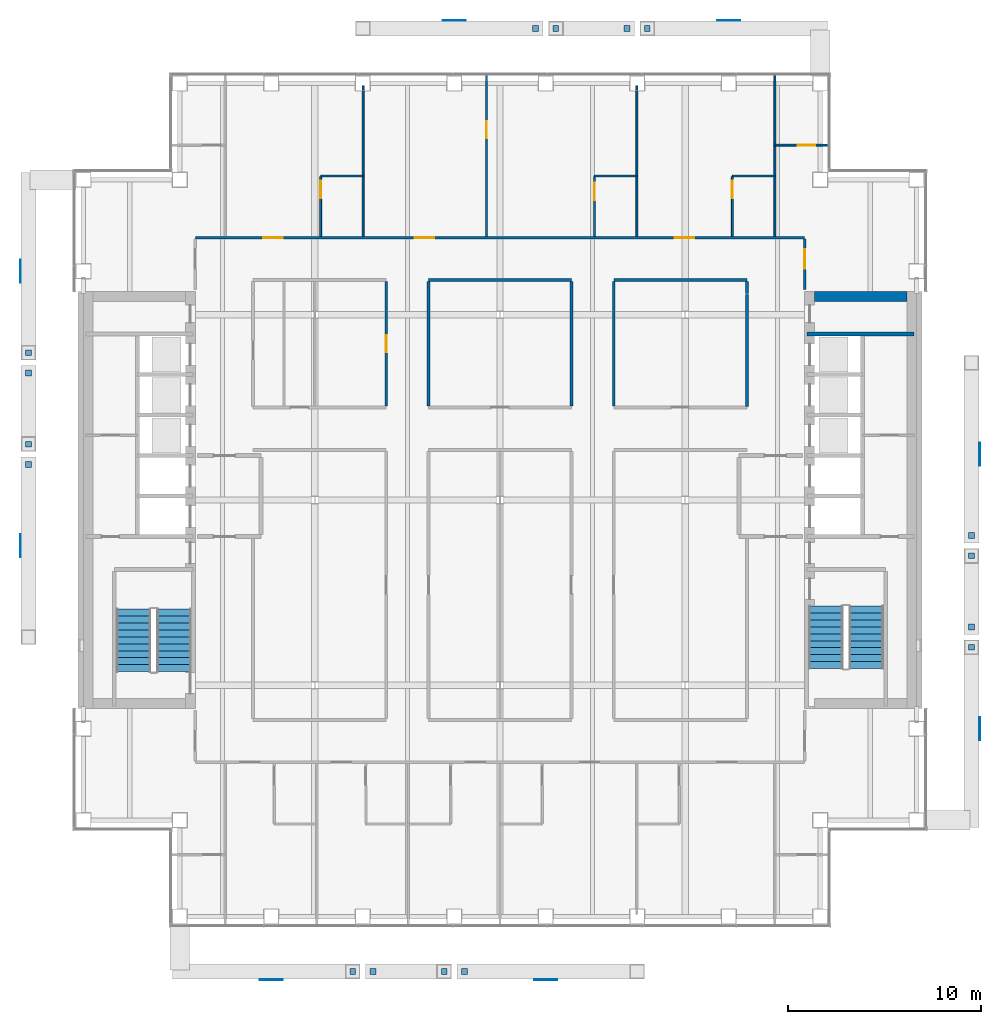
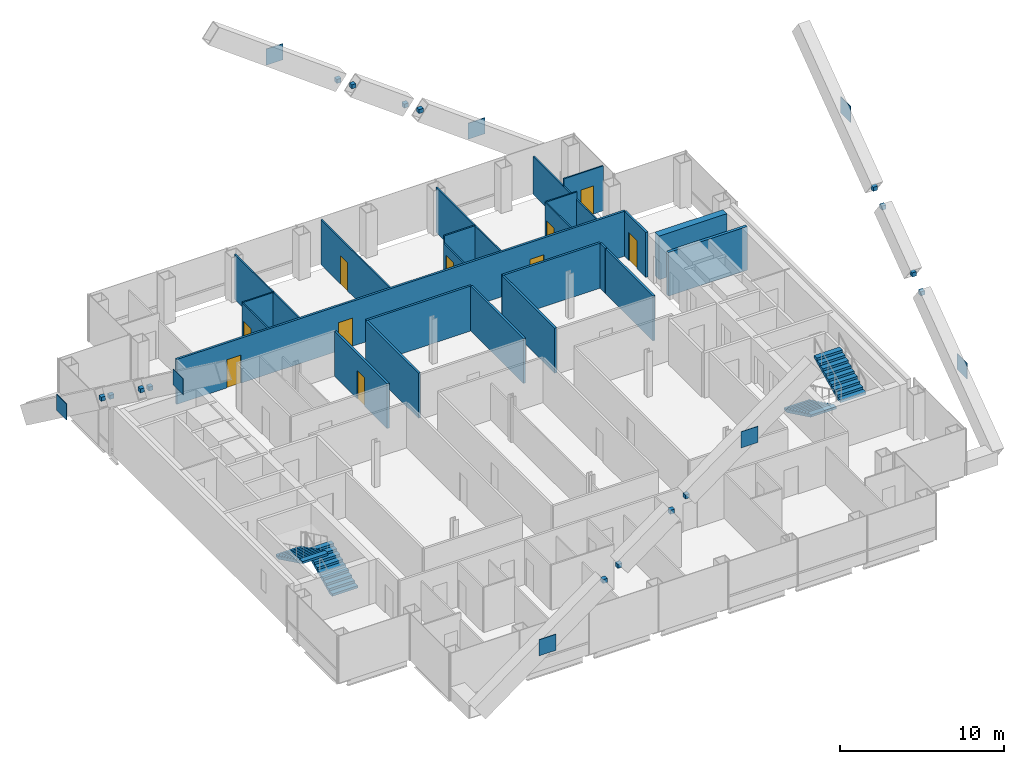
# One storey, part 15 of 17: 24 discrete accessories, 23 walls, 10 doors, 4 stair flights, 10 openings, 2 elements without a shape of their own.
"""IFC4 building model written with IfcOpenShell, lengths in metres."""

from ifc_helpers import new_model, si_unit, direction, frame, frame_2d, origin, origin_2d, place, context, subcontext, project, spatial, polyline, rectangle, outline, extrude, material, layer, layer_set, type_object, element, fill, aggregate, save


model = new_model("IFC4")

# Units and contexts
model_context = context("Model", 3, precision=1e-05, world=origin(), true_north=direction((0.0, 1.0)))
body_context = subcontext(model_context, "Body", "Model", "MODEL_VIEW")
ifc_project = project(units=[si_unit("LENGTHUNIT", "METRE"), si_unit("AREAUNIT", "SQUARE_METRE"), si_unit("VOLUMEUNIT", "CUBIC_METRE"), si_unit("PLANEANGLEUNIT", "RADIAN"), si_unit("MASSUNIT", "GRAM", prefix="KILO")], contexts=[model_context])

# Site, building, storey
site_placement = place(None, origin())
site = spatial("IfcSite", under=ifc_project, at=site_placement, CompositionType="ELEMENT")
building_placement = place(site_placement, origin())
building = spatial("IfcBuilding", under=site, at=building_placement, Name="Cobrizo Arcos Hotel Tower", CompositionType="ELEMENT")
storey_placement = place(building_placement, frame((0.0, 0.0, 151.5)))
storey = spatial("IfcBuildingStorey", under=building, at=storey_placement, Name="L38", CompositionType="ELEMENT", Elevation=151.5)

# Walls
ifc_material_1 = material(Name="Gypsum board partition")
ifc_layer_1 = layer(ifc_material_1, 0.14990234375)
ifc_layer_set_1 = layer_set([ifc_layer_1], Name="Corridor wall EI 60 150")
wall_type_1 = type_object("IfcWallType", Name="Corridor wall EI 60 150", PredefinedType="PARTITIONING", material=ifc_layer_set_1)
wall_1_placement = place(storey_placement, frame((-3.699951171875, 11.39990234375, 0.0), z_axis=(0.0, 0.0, 1.0), x_axis=(1.0, 0.0, 0.0)))
element("IfcWall", 1, at=wall_1_placement, inside=storey, type_object=wall_type_1, Name="Partition 038", PredefinedType="PARTITIONING", context=body_context, shape_type="SweptSolid", body=[
    extrude(rectangle(XDim=7.39990234375, YDim=0.14990234375, at=frame_2d((3.699951171875, 0.0))), origin(), (0.0, 0.0, 1.0), 3.35009765625),
])
wall_2_placement = place(storey_placement, frame((5.89990234375, 11.39990234375, 0.0), z_axis=(0.0, 0.0, 1.0), x_axis=(1.0, 0.0, 0.0)))
element("IfcWall", 2, at=wall_2_placement, inside=storey, type_object=wall_type_1, Name="Partition 039", PredefinedType="PARTITIONING", context=body_context, shape_type="SweptSolid", body=[
    extrude(rectangle(XDim=6.900146484375, YDim=0.14990234375, at=frame_2d((3.4501953125, 0.0))), origin(), (0.0, 0.0, 1.0), 3.35009765625),
])

# Wall, openings, doors
wall_3_placement = place(storey_placement, frame((-15.800048828125, 13.60009765625, 0.0), z_axis=(0.0, 0.0, 1.0), x_axis=(1.0, 0.0, 0.0)))
wall_3 = element("IfcWall", 3, at=wall_3_placement, inside=storey, type_object=wall_type_1, Name="Partition 040", PredefinedType="PARTITIONING", context=body_context, shape_type="SweptSolid", body=[
    extrude(rectangle(XDim=31.60009765625, YDim=0.14990234375, at=frame_2d((15.800048828125, 0.0))), origin(), (0.0, 0.0, 1.0), 3.35009765625),
])
opening_1_placement = place(wall_3_placement, frame((3.529052734375, 0.0, 0.0)))
opening_1 = element("IfcOpeningElement", 4, at=opening_1_placement, cuts=wall_3, Name="Opening GD-01", PredefinedType="OPENING", context=body_context, shape_type="SweptSolid", body=[
    extrude(rectangle(XDim=1.0, YDim=2.10009765625, at=frame_2d((0.5, 1.050048828125))), frame((0.0, 0.0869140625, 0.0), z_axis=(0.0, -1.0, 0.0), x_axis=(1.0, 0.0, 0.0)), (0.0, 0.0, 1.0), 0.173828125),
])
opening_2_placement = place(wall_3_placement, frame((11.387939453125, 0.0, 0.0)))
opening_2 = element("IfcOpeningElement", 5, at=opening_2_placement, cuts=wall_3, Name="Opening GD-02", PredefinedType="OPENING", context=body_context, shape_type="SweptSolid", body=[
    extrude(rectangle(XDim=1.0, YDim=2.10009765625, at=frame_2d((0.5, 1.050048828125))), frame((0.0, 0.0869140625, 0.0), z_axis=(0.0, -1.0, 0.0), x_axis=(1.0, 0.0, 0.0)), (0.0, 0.0, 1.0), 0.173828125),
])
opening_3_placement = place(wall_3_placement, frame((24.8720703125, 0.0, 0.0)))
opening_3 = element("IfcOpeningElement", 6, at=opening_3_placement, cuts=wall_3, Name="Opening GD-03", PredefinedType="OPENING", context=body_context, shape_type="SweptSolid", body=[
    extrude(rectangle(XDim=1.0, YDim=2.10009765625, at=frame_2d((0.5, 1.050048828125))), frame((0.0, 0.0869140625, 0.0), z_axis=(0.0, -1.0, 0.0), x_axis=(1.0, 0.0, 0.0)), (0.0, 0.0, 1.0), 0.173828125),
])
ifc_material_2 = material(Name="Timber door leaf", Category="wood")
door_type_1 = type_object("IfcDoorType", Name="Guest room door FD30S 1000x2100", OperationType="SINGLE_SWING_LEFT", PredefinedType="DOOR", material=ifc_material_2)
door_1_placement = place(opening_1_placement, origin())
door_1 = element("IfcDoor", 7, at=door_1_placement, inside=storey, type_object=door_type_1, Name="Door GD-01", OperationType="SINGLE_SWING_LEFT", OverallHeight=2.10009765625, OverallWidth=1.0, PredefinedType="DOOR", context=body_context, shape_type="SweptSolid", body=[
    extrude(rectangle(XDim=1.0, YDim=2.10009765625, at=frame_2d((0.5, 1.050048828125))), frame((0.0, 0.02490234375, 0.0), z_axis=(0.0, -1.0, 0.0), x_axis=(1.0, 0.0, 0.0)), (0.0, 0.0, 1.0), 0.050048828125),
])
fill(opening_1, door_1)
door_2_placement = place(opening_2_placement, origin())
door_2 = element("IfcDoor", 8, at=door_2_placement, inside=storey, type_object=door_type_1, Name="Door GD-02", OperationType="SINGLE_SWING_LEFT", OverallHeight=2.10009765625, OverallWidth=1.0, PredefinedType="DOOR", context=body_context, shape_type="SweptSolid", body=[
    extrude(rectangle(XDim=1.0, YDim=2.10009765625, at=frame_2d((0.5, 1.050048828125))), frame((0.0, 0.02490234375, 0.0), z_axis=(0.0, -1.0, 0.0), x_axis=(1.0, 0.0, 0.0)), (0.0, 0.0, 1.0), 0.050048828125),
])
fill(opening_2, door_2)
door_3_placement = place(opening_3_placement, origin())
door_3 = element("IfcDoor", 9, at=door_3_placement, inside=storey, type_object=door_type_1, Name="Door GD-03", OperationType="SINGLE_SWING_LEFT", OverallHeight=2.10009765625, OverallWidth=1.0, PredefinedType="DOOR", context=body_context, shape_type="SweptSolid", body=[
    extrude(rectangle(XDim=1.0, YDim=2.10009765625, at=frame_2d((0.5, 1.050048828125))), frame((0.0, 0.02490234375, 0.0), z_axis=(0.0, -1.0, 0.0), x_axis=(1.0, 0.0, 0.0)), (0.0, 0.0, 1.0), 0.050048828125),
])
fill(opening_3, door_3)

# Wall, opening, door
wall_4_placement = place(storey_placement, frame((-5.89990234375, 4.875, 0.0), z_axis=(0.0, 0.0, 1.0), x_axis=(0.0, 1.0, 0.0)))
wall_4 = element("IfcWall", 10, at=wall_4_placement, inside=storey, type_object=wall_type_1, Name="Partition 067", PredefinedType="PARTITIONING", context=body_context, shape_type="SweptSolid", body=[
    extrude(rectangle(XDim=6.449951171875, YDim=0.14990234375, at=frame_2d((3.22509765625, 0.0))), origin(), (0.0, 0.0, 1.0), 3.35009765625),
])
opening_4_placement = place(wall_4_placement, frame((2.77490234375, 0.0, 0.0)))
opening_4 = element("IfcOpeningElement", 11, at=opening_4_placement, cuts=wall_4, Name="Opening RD-08", PredefinedType="OPENING", context=body_context, shape_type="SweptSolid", body=[
    extrude(rectangle(XDim=0.89990234375, YDim=2.10009765625, at=frame_2d((0.449951171875, 1.050048828125))), frame((0.0, 0.0869140625, 0.0), z_axis=(0.0, -1.0, 0.0), x_axis=(1.0, 0.0, 0.0)), (0.0, 0.0, 1.0), 0.173828125),
])
door_type_2 = type_object("IfcDoorType", Name="Room door FD30 900x2100", OperationType="SINGLE_SWING_LEFT", PredefinedType="DOOR", material=ifc_material_2)
door_4_placement = place(opening_4_placement, origin())
door_4 = element("IfcDoor", 12, at=door_4_placement, inside=storey, type_object=door_type_2, Name="Door RD-08", OperationType="SINGLE_SWING_LEFT", OverallHeight=2.10009765625, OverallWidth=0.89990234375, PredefinedType="DOOR", context=body_context, shape_type="SweptSolid", body=[
    extrude(rectangle(XDim=0.89990234375, YDim=2.10009765625, at=frame_2d((0.449951171875, 1.050048828125))), frame((0.0, 0.02490234375, 0.0), z_axis=(0.0, -1.0, 0.0), x_axis=(1.0, 0.0, 0.0)), (0.0, 0.0, 1.0), 0.050048828125),
])
fill(opening_4, door_4)

# Walls
for number, where, z_axis, x_axis, name in (
    (13, (-3.699951171875, 4.875, 0.0), (0.0, 0.0, 1.0), (0.0, 1.0, 0.0), "Partition 071"),
    (14, (3.699951171875, 4.875, 0.0), (0.0, 0.0, 1.0), (0.0, 1.0, 0.0), "Partition 082"),
    (15, (5.89990234375, 4.875, 0.0), (0.0, 0.0, 1.0), (0.0, 1.0, 0.0), "Partition 085"),
):
    element("IfcWall", number, at=place(storey_placement, frame(where, z_axis=z_axis, x_axis=x_axis)), inside=storey, type_object=wall_type_1, Name=name, PredefinedType="PARTITIONING", context=body_context, shape_type="SweptSolid", body=[
        extrude(rectangle(XDim=6.449951171875, YDim=0.14990234375, at=frame_2d((3.22509765625, 0.0))), origin(), (0.0, 0.0, 1.0), 3.35009765625),
    ])
wall_5_placement = place(storey_placement, frame((12.800048828125, 4.85009765625, 0.0), z_axis=(0.0, 0.0, 1.0), x_axis=(0.0, 1.0, 0.0)))
element("IfcWall", 16, at=wall_5_placement, inside=storey, type_object=wall_type_1, Name="Partition 092", PredefinedType="PARTITIONING", context=body_context, shape_type="SweptSolid", body=[
    extrude(rectangle(XDim=5.7998046875, YDim=0.14990234375, at=frame_2d((2.89990234375, 0.0))), origin(), (0.0, 0.0, 1.0), 3.35009765625),
])
wall_6_placement = place(storey_placement, frame((12.800048828125, 10.699951171875, 0.0), z_axis=(0.0, 0.0, 1.0), x_axis=(0.0, 1.0, 0.0)))
element("IfcWall", 17, at=wall_6_placement, inside=storey, type_object=wall_type_1, Name="Partition 093", PredefinedType="PARTITIONING", context=body_context, shape_type="SweptSolid", body=[
    extrude(rectangle(XDim=0.625, YDim=0.14990234375, at=frame_2d((0.3125, 0.0))), origin(), (0.0, 0.0, 1.0), 3.35009765625),
])

# Wall, opening, door
wall_7_placement = place(storey_placement, frame((15.800048828125, 10.919921875, 0.0), z_axis=(0.0, 0.0, 1.0), x_axis=(0.0, 1.0, 0.0)))
wall_7 = element("IfcWall", 18, at=wall_7_placement, inside=storey, type_object=wall_type_1, Name="Partition 097", PredefinedType="PARTITIONING", context=body_context, shape_type="SweptSolid", body=[
    extrude(rectangle(XDim=2.60498046875, YDim=0.14990234375, at=frame_2d((1.302490234375, 0.0))), origin(), (0.0, 0.0, 1.0), 3.35009765625),
])
opening_5_placement = place(wall_7_placement, frame((1.080078125, 0.0, 0.0)))
opening_5 = element("IfcOpeningElement", 19, at=opening_5_placement, cuts=wall_7, Name="Opening GD-12", PredefinedType="OPENING", context=body_context, shape_type="SweptSolid", body=[
    extrude(rectangle(XDim=1.0, YDim=2.10009765625, at=frame_2d((0.5, 1.050048828125))), frame((0.0, 0.0869140625, 0.0), z_axis=(0.0, -1.0, 0.0), x_axis=(1.0, 0.0, 0.0)), (0.0, 0.0, 1.0), 0.173828125),
])
door_5_placement = place(opening_5_placement, origin())
door_5 = element("IfcDoor", 20, at=door_5_placement, inside=storey, type_object=door_type_1, Name="Door GD-12", OperationType="SINGLE_SWING_RIGHT", OverallHeight=2.10009765625, OverallWidth=1.0, PredefinedType="DOOR", context=body_context, shape_type="SweptSolid", body=[
    extrude(rectangle(XDim=1.0, YDim=2.10009765625, at=frame_2d((0.5, 1.050048828125))), frame((0.0, 0.02490234375, 0.0), z_axis=(0.0, -1.0, 0.0), x_axis=(1.0, 0.0, 0.0)), (0.0, 0.0, 1.0), 0.050048828125),
])
fill(opening_5, door_5)

# Walls
ifc_layer_2 = layer(ifc_material_1, 0.10009765625)
ifc_layer_set_2 = layer_set([ifc_layer_2], Name="Partition EI 30 100")
wall_type_2 = type_object("IfcWallType", Name="Partition EI 30 100", PredefinedType="PARTITIONING", material=ifc_layer_set_2)
wall_8_placement = place(storey_placement, frame((-9.300048828125, 16.800048828125, 0.0), z_axis=(0.0, 0.0, 1.0), x_axis=(1.0, 0.0, 0.0)))
element("IfcWall", 21, at=wall_8_placement, inside=storey, type_object=wall_type_2, Name="Partition 041", PredefinedType="PARTITIONING", context=body_context, shape_type="SweptSolid", body=[
    extrude(rectangle(XDim=2.199951171875, YDim=0.10009765625, at=frame_2d((1.10009765625, 0.0))), origin(), (0.0, 0.0, 1.0), 3.35009765625),
])
wall_9_placement = place(storey_placement, frame((4.89990234375, 16.800048828125, 0.0), z_axis=(0.0, 0.0, 1.0), x_axis=(1.0, 0.0, 0.0)))
element("IfcWall", 22, at=wall_9_placement, inside=storey, type_object=wall_type_2, Name="Partition 042", PredefinedType="PARTITIONING", context=body_context, shape_type="SweptSolid", body=[
    extrude(rectangle(XDim=2.2001953125, YDim=0.10009765625, at=frame_2d((1.10009765625, 0.0))), origin(), (0.0, 0.0, 1.0), 3.35009765625),
])
wall_10_placement = place(storey_placement, frame((12.050048828125, 16.800048828125, 0.0), z_axis=(0.0, 0.0, 1.0), x_axis=(1.0, 0.0, 0.0)))
element("IfcWall", 23, at=wall_10_placement, inside=storey, type_object=wall_type_2, Name="Partition 043", PredefinedType="PARTITIONING", context=body_context, shape_type="SweptSolid", body=[
    extrude(rectangle(XDim=2.199951171875, YDim=0.10009765625, at=frame_2d((1.10009765625, 0.0))), origin(), (0.0, 0.0, 1.0), 3.35009765625),
])

# Wall, opening, door
wall_11_placement = place(storey_placement, frame((14.25, 18.39990234375, 0.0), z_axis=(0.0, 0.0, 1.0), x_axis=(1.0, 0.0, 0.0)))
wall_11 = element("IfcWall", 24, at=wall_11_placement, inside=storey, type_object=wall_type_2, Name="Partition 045", PredefinedType="PARTITIONING", context=body_context, shape_type="SweptSolid", body=[
    extrude(rectangle(XDim=2.780029296875, YDim=0.10009765625, at=frame_2d((1.39013671875, 0.0))), origin(), (0.0, 0.0, 1.0), 3.35009765625),
])
opening_6_placement = place(wall_11_placement, frame((1.18896484375, 0.0, 0.0)))
opening_6 = element("IfcOpeningElement", 25, at=opening_6_placement, cuts=wall_11, Name="Opening ED-12", PredefinedType="OPENING", context=body_context, shape_type="SweptSolid", body=[
    extrude(rectangle(XDim=0.89990234375, YDim=2.10009765625, at=frame_2d((0.449951171875, 1.050048828125))), frame((0.0, 0.06201171875, 0.0), z_axis=(0.0, -1.0, 0.0), x_axis=(1.0, 0.0, 0.0)), (0.0, 0.0, 1.0), 0.1240234375),
])
door_type_3 = type_object("IfcDoorType", Name="En-suite door 900x2100", OperationType="SINGLE_SWING_LEFT", PredefinedType="DOOR", material=ifc_material_2)
door_6_placement = place(opening_6_placement, origin())
door_6 = element("IfcDoor", 26, at=door_6_placement, inside=storey, type_object=door_type_3, Name="Door ED-12", OperationType="SINGLE_SWING_LEFT", OverallHeight=2.10009765625, OverallWidth=0.89990234375, PredefinedType="DOOR", context=body_context, shape_type="SweptSolid", body=[
    extrude(rectangle(XDim=0.89990234375, YDim=2.10009765625, at=frame_2d((0.449951171875, 1.050048828125))), frame((0.0, 0.02490234375, 0.0), z_axis=(0.0, -1.0, 0.0), x_axis=(1.0, 0.0, 0.0)), (0.0, 0.0, 1.0), 0.050048828125),
])
fill(opening_6, door_6)

wall_12_placement = place(storey_placement, frame((-9.300048828125, 13.675048828125, 0.0), z_axis=(0.0, 0.0, 1.0), x_axis=(0.0, 1.0, 0.0)))
wall_12 = element("IfcWall", 27, at=wall_12_placement, inside=storey, type_object=wall_type_2, Name="Partition 063", PredefinedType="PARTITIONING", context=body_context, shape_type="SweptSolid", body=[
    extrude(rectangle(XDim=3.074951171875, YDim=0.10009765625, at=frame_2d((1.53759765625, 0.0))), origin(), (0.0, 0.0, 1.0), 3.35009765625),
])
opening_7_placement = place(wall_12_placement, frame((1.970947265625, 0.0, 0.0)))
opening_7 = element("IfcOpeningElement", 28, at=opening_7_placement, cuts=wall_12, Name="Opening ED-01", PredefinedType="OPENING", context=body_context, shape_type="SweptSolid", body=[
    extrude(rectangle(XDim=0.89990234375, YDim=2.10009765625, at=frame_2d((0.449951171875, 1.050048828125))), frame((0.0, 0.06201171875, 0.0), z_axis=(0.0, -1.0, 0.0), x_axis=(1.0, 0.0, 0.0)), (0.0, 0.0, 1.0), 0.1240234375),
])
door_7_placement = place(opening_7_placement, origin())
door_7 = element("IfcDoor", 29, at=door_7_placement, inside=storey, type_object=door_type_3, Name="Door ED-01", OperationType="SINGLE_SWING_RIGHT", OverallHeight=2.10009765625, OverallWidth=0.89990234375, PredefinedType="DOOR", context=body_context, shape_type="SweptSolid", body=[
    extrude(rectangle(XDim=0.89990234375, YDim=2.10009765625, at=frame_2d((0.449951171875, 1.050048828125))), frame((0.0, 0.02490234375, 0.0), z_axis=(0.0, -1.0, 0.0), x_axis=(1.0, 0.0, 0.0)), (0.0, 0.0, 1.0), 0.050048828125),
])
fill(opening_7, door_7)

# Wall
wall_13_placement = place(storey_placement, frame((-7.10009765625, 13.675048828125, 0.0), z_axis=(0.0, 0.0, 1.0), x_axis=(0.0, 1.0, 0.0)))
element("IfcWall", 30, at=wall_13_placement, inside=storey, type_object=wall_type_2, Name="Partition 064", PredefinedType="PARTITIONING", context=body_context, shape_type="SweptSolid", body=[
    extrude(rectangle(XDim=7.804931640625, YDim=0.10009765625, at=frame_2d((3.90234375, 0.0))), origin(), (0.0, 0.0, 1.0), 3.35009765625),
])

# Wall, opening, door
wall_14_placement = place(storey_placement, frame((-0.699951171875, 13.675048828125, 0.0), z_axis=(0.0, 0.0, 1.0), x_axis=(0.0, 1.0, 0.0)))
wall_14 = element("IfcWall", 31, at=wall_14_placement, inside=storey, type_object=wall_type_2, Name="Partition 073", PredefinedType="PARTITIONING", context=body_context, shape_type="SweptSolid", body=[
    extrude(rectangle(XDim=8.35498046875, YDim=0.10009765625, at=frame_2d((4.177490234375, 0.0))), origin(), (0.0, 0.0, 1.0), 3.35009765625),
])
opening_8_placement = place(wall_14_placement, frame((5.074951171875, 0.0, 0.0)))
opening_8 = element("IfcOpeningElement", 32, at=opening_8_placement, cuts=wall_14, Name="Opening RD-07", PredefinedType="OPENING", context=body_context, shape_type="SweptSolid", body=[
    extrude(rectangle(XDim=0.89990234375, YDim=2.10009765625, at=frame_2d((0.449951171875, 1.050048828125))), frame((0.0, 0.06201171875, 0.0), z_axis=(0.0, -1.0, 0.0), x_axis=(1.0, 0.0, 0.0)), (0.0, 0.0, 1.0), 0.1240234375),
])
door_8_placement = place(opening_8_placement, origin())
door_8 = element("IfcDoor", 33, at=door_8_placement, inside=storey, type_object=door_type_2, Name="Door RD-07", OperationType="SINGLE_SWING_LEFT", OverallHeight=2.10009765625, OverallWidth=0.89990234375, PredefinedType="DOOR", context=body_context, shape_type="SweptSolid", body=[
    extrude(rectangle(XDim=0.89990234375, YDim=2.10009765625, at=frame_2d((0.449951171875, 1.050048828125))), frame((0.0, 0.02490234375, 0.0), z_axis=(0.0, -1.0, 0.0), x_axis=(1.0, 0.0, 0.0)), (0.0, 0.0, 1.0), 0.050048828125),
])
fill(opening_8, door_8)

wall_15_placement = place(storey_placement, frame((4.89990234375, 13.675048828125, 0.0), z_axis=(0.0, 0.0, 1.0), x_axis=(0.0, 1.0, 0.0)))
wall_15 = element("IfcWall", 34, at=wall_15_placement, inside=storey, type_object=wall_type_2, Name="Partition 083", PredefinedType="PARTITIONING", context=body_context, shape_type="SweptSolid", body=[
    extrude(rectangle(XDim=3.074951171875, YDim=0.10009765625, at=frame_2d((1.53759765625, 0.0))), origin(), (0.0, 0.0, 1.0), 2.81689453125),
])
opening_9_placement = place(wall_15_placement, frame((1.875, 0.0, 0.0)))
opening_9 = element("IfcOpeningElement", 35, at=opening_9_placement, cuts=wall_15, Name="Opening ED-02", PredefinedType="OPENING", context=body_context, shape_type="SweptSolid", body=[
    extrude(rectangle(XDim=0.89990234375, YDim=2.10009765625, at=frame_2d((0.449951171875, 1.050048828125))), frame((0.0, 0.06201171875, 0.0), z_axis=(0.0, -1.0, 0.0), x_axis=(1.0, 0.0, 0.0)), (0.0, 0.0, 1.0), 0.1240234375),
])
door_9_placement = place(opening_9_placement, origin())
door_9 = element("IfcDoor", 36, at=door_9_placement, inside=storey, type_object=door_type_3, Name="Door ED-02", OperationType="SINGLE_SWING_RIGHT", OverallHeight=2.10009765625, OverallWidth=0.89990234375, PredefinedType="DOOR", context=body_context, shape_type="SweptSolid", body=[
    extrude(rectangle(XDim=0.89990234375, YDim=2.10009765625, at=frame_2d((0.449951171875, 1.050048828125))), frame((0.0, 0.02490234375, 0.0), z_axis=(0.0, -1.0, 0.0), x_axis=(1.0, 0.0, 0.0)), (0.0, 0.0, 1.0), 0.050048828125),
])
fill(opening_9, door_9)

# Wall
wall_16_placement = place(storey_placement, frame((7.10009765625, 13.675048828125, 0.0), z_axis=(0.0, 0.0, 1.0), x_axis=(0.0, 1.0, 0.0)))
element("IfcWall", 37, at=wall_16_placement, inside=storey, type_object=wall_type_2, Name="Partition 087", PredefinedType="PARTITIONING", context=body_context, shape_type="SweptSolid", body=[
    extrude(rectangle(XDim=7.804931640625, YDim=0.10009765625, at=frame_2d((3.90234375, 0.0))), origin(), (0.0, 0.0, 1.0), 3.35009765625),
])

# Wall, opening, door
wall_17_placement = place(storey_placement, frame((12.050048828125, 13.675048828125, 0.0), z_axis=(0.0, 0.0, 1.0), x_axis=(0.0, 1.0, 0.0)))
wall_17 = element("IfcWall", 38, at=wall_17_placement, inside=storey, type_object=wall_type_2, Name="Partition 089", PredefinedType="PARTITIONING", context=body_context, shape_type="SweptSolid", body=[
    extrude(rectangle(XDim=3.074951171875, YDim=0.10009765625, at=frame_2d((1.53759765625, 0.0))), origin(), (0.0, 0.0, 1.0), 3.35009765625),
])
opening_10_placement = place(wall_17_placement, frame((1.970947265625, 0.0, 0.0)))
opening_10 = element("IfcOpeningElement", 39, at=opening_10_placement, cuts=wall_17, Name="Opening ED-03", PredefinedType="OPENING", context=body_context, shape_type="SweptSolid", body=[
    extrude(rectangle(XDim=0.89990234375, YDim=2.10009765625, at=frame_2d((0.449951171875, 1.050048828125))), frame((0.0, 0.06201171875, 0.0), z_axis=(0.0, -1.0, 0.0), x_axis=(1.0, 0.0, 0.0)), (0.0, 0.0, 1.0), 0.1240234375),
])
door_10_placement = place(opening_10_placement, origin())
door_10 = element("IfcDoor", 40, at=door_10_placement, inside=storey, type_object=door_type_3, Name="Door ED-03", OperationType="SINGLE_SWING_LEFT", OverallHeight=2.10009765625, OverallWidth=0.89990234375, PredefinedType="DOOR", context=body_context, shape_type="SweptSolid", body=[
    extrude(rectangle(XDim=0.89990234375, YDim=2.10009765625, at=frame_2d((0.449951171875, 1.050048828125))), frame((0.0, 0.02490234375, 0.0), z_axis=(0.0, -1.0, 0.0), x_axis=(1.0, 0.0, 0.0)), (0.0, 0.0, 1.0), 0.050048828125),
])
fill(opening_10, door_10)

# Walls
wall_18_placement = place(storey_placement, frame((14.25, 13.675048828125, 0.0), z_axis=(0.0, 0.0, 1.0), x_axis=(0.0, 1.0, 0.0)))
element("IfcWall", 41, at=wall_18_placement, inside=storey, type_object=wall_type_2, Name="Partition 095", PredefinedType="PARTITIONING", context=body_context, shape_type="SweptSolid", body=[
    extrude(rectangle(XDim=8.35498046875, YDim=0.10009765625, at=frame_2d((4.177490234375, 0.0))), origin(), (0.0, 0.0, 1.0), 2.81689453125),
])
ifc_material_3 = material(Name="Concrete f'c 50 MPa", Category="concrete")
ifc_layer_3 = layer(ifc_material_3, 0.5)
ifc_layer_set_3 = layer_set([ifc_layer_3], Name="RC core wall 500 f'c 50")
wall_type_3 = type_object("IfcWallType", Name="RC core wall 500 f'c 50", PredefinedType="SHEAR", material=ifc_layer_set_3)
wall_19_placement = place(storey_placement, frame((16.300048828125, 10.550048828125, 0.0), z_axis=(0.0, 0.0, 1.0), x_axis=(1.0, 0.0, 0.0)))
element("IfcWall", 42, at=wall_19_placement, inside=storey, type_object=wall_type_3, Name="Core wall CW3, east core, north end, L38", PredefinedType="SHEAR", context=body_context, shape_type="SweptSolid", body=[
    extrude(rectangle(XDim=4.800048828125, YDim=0.5, at=frame_2d((2.39990234375, 0.0))), origin(), (0.0, 0.0, 1.0), 3.25),
])
ifc_layer_4 = layer(ifc_material_1, 0.199951171875)
ifc_layer_set_4 = layer_set([ifc_layer_4], Name="Shaft wall EI 120 200")
wall_type_4 = type_object("IfcWallType", Name="Shaft wall EI 120 200", PredefinedType="PARTITIONING", material=ifc_layer_set_4)
wall_20_placement = place(storey_placement, frame((15.919921875, 8.60009765625, 0.0), z_axis=(0.0, 0.0, 1.0), x_axis=(1.0, 0.0, 0.0)))
element("IfcWall", 43, at=wall_20_placement, inside=storey, type_object=wall_type_4, Name="Partition 036", PredefinedType="PARTITIONING", context=body_context, shape_type="SweptSolid", body=[
    extrude(rectangle(XDim=5.56005859375, YDim=0.199951171875, at=frame_2d((2.780029296875, 0.0))), origin(), (0.0, 0.0, 1.0), 3.25),
])

# Stair, stair flights
ifc_material_4 = material(Name="Concrete f'c 40 MPa", Category="concrete")
stair_type = type_object("IfcStairType", Name="Exit stair", PredefinedType="HALF_TURN_STAIR", material=ifc_material_4)
stair_1_placement = place(storey_placement, origin())
stair_1 = element("IfcStair", 44, at=stair_1_placement, inside=storey, type_object=stair_type, Name="L38 Exit stair ST-W", PredefinedType="HALF_TURN_STAIR")
stair_flight_type = type_object("IfcStairFlightType", Name="Exit stair flight", PredefinedType="STRAIGHT", material=ifc_material_4)
stair_flight_1_placement = place(storey_placement, frame((-16.89990234375, -8.89990234375, 0.0), z_axis=(0.0, 0.0, 1.0), x_axis=(0.0, 1.0, 0.0)))
stair_flight_1 = element("IfcStairFlight", 45, at=stair_flight_1_placement, type_object=stair_flight_type, Name="ST-W flight 1", NumberOfRisers=10, NumberOfTreads=9, PredefinedType="STRAIGHT", RiserHeight=0.175, TreadLength=0.36, context=body_context, shape_type="SweptSolid", body=[
    extrude(outline(polyline([(0.0, 0.0), (0.0, 0.175048828125), (0.360107421875, 0.175048828125), (0.360107421875, 0.35009765625), (0.719970703125, 0.35009765625), (0.719970703125, 0.52490234375), (1.080078125, 0.52490234375), (1.080078125, 0.699951171875), (1.43994140625, 0.699951171875), (1.43994140625, 0.875), (1.800048828125, 0.875), (1.800048828125, 1.050048828125), (2.159912109375, 1.050048828125), (2.159912109375, 1.22509765625), (2.52001953125, 1.22509765625), (2.52001953125, 1.39990234375), (2.8798828125, 1.39990234375), (2.8798828125, 1.574951171875), (3.239990234375, 1.574951171875), (3.239990234375, 1.75), (3.239990234375, 1.408203125), (0.3427734375, 0.0), (0.0, 0.0)])), frame((0.0, 0.89990234375, 0.0), z_axis=(0.0, -1.0, 0.0), x_axis=(1.0, 0.0, 0.0)), (0.0, 0.0, 1.0), 1.800048828125),
])
stair_flight_2_placement = place(storey_placement, frame((-19.0, -5.659912109375, 1.75), z_axis=(0.0, 0.0, 1.0), x_axis=(0.0, -1.0, 0.0)))
stair_flight_2 = element("IfcStairFlight", 46, at=stair_flight_2_placement, type_object=stair_flight_type, Name="ST-W flight 2", NumberOfRisers=10, NumberOfTreads=9, PredefinedType="STRAIGHT", RiserHeight=0.175, TreadLength=0.36, context=body_context, shape_type="SweptSolid", body=[
    extrude(outline(polyline([(0.0, 0.0), (0.0, 0.175048828125), (0.360107421875, 0.175048828125), (0.360107421875, 0.35009765625), (0.719970703125, 0.35009765625), (0.719970703125, 0.52490234375), (1.080078125, 0.52490234375), (1.080078125, 0.699951171875), (1.43994140625, 0.699951171875), (1.43994140625, 0.875), (1.800048828125, 0.875), (1.800048828125, 1.050048828125), (2.159912109375, 1.050048828125), (2.159912109375, 1.22509765625), (2.52001953125, 1.22509765625), (2.52001953125, 1.39990234375), (2.8798828125, 1.39990234375), (2.8798828125, 1.574951171875), (3.239990234375, 1.574951171875), (3.239990234375, 1.75), (3.239990234375, 1.408203125), (0.3427734375, 0.0), (0.0, 0.0)])), frame((0.0, 0.89990234375, 0.0), z_axis=(0.0, -1.0, 0.0), x_axis=(1.0, 0.0, 0.0)), (0.0, 0.0, 1.0), 1.800048828125),
])
aggregate(stair_1, [stair_flight_1, stair_flight_2])

stair_2_placement = place(storey_placement, origin())
stair_2 = element("IfcStair", 47, at=stair_2_placement, inside=storey, type_object=stair_type, Name="L38 Exit stair ST-E", PredefinedType="HALF_TURN_STAIR")
stair_flight_3_placement = place(storey_placement, frame((16.89990234375, -5.5, 0.0), z_axis=(0.0, 0.0, 1.0), x_axis=(0.0, -1.0, 0.0)))
stair_flight_3 = element("IfcStairFlight", 48, at=stair_flight_3_placement, type_object=stair_flight_type, Name="ST-E flight 1", NumberOfRisers=10, NumberOfTreads=9, PredefinedType="STRAIGHT", RiserHeight=0.175, TreadLength=0.36, context=body_context, shape_type="SweptSolid", body=[
    extrude(outline(polyline([(0.0, 0.0), (0.0, 0.175048828125), (0.360107421875, 0.175048828125), (0.360107421875, 0.35009765625), (0.719970703125, 0.35009765625), (0.719970703125, 0.52490234375), (1.080078125, 0.52490234375), (1.080078125, 0.699951171875), (1.43994140625, 0.699951171875), (1.43994140625, 0.875), (1.800048828125, 0.875), (1.800048828125, 1.050048828125), (2.159912109375, 1.050048828125), (2.159912109375, 1.22509765625), (2.52001953125, 1.22509765625), (2.52001953125, 1.39990234375), (2.8798828125, 1.39990234375), (2.8798828125, 1.574951171875), (3.239990234375, 1.574951171875), (3.239990234375, 1.75), (3.239990234375, 1.408203125), (0.3427734375, 0.0), (0.0, 0.0)])), frame((0.0, 0.89990234375, 0.0), z_axis=(0.0, -1.0, 0.0), x_axis=(1.0, 0.0, 0.0)), (0.0, 0.0, 1.0), 1.800048828125),
])
stair_flight_4_placement = place(storey_placement, frame((19.0, -8.739990234375, 1.75), z_axis=(0.0, 0.0, 1.0), x_axis=(0.0, 1.0, 0.0)))
stair_flight_4 = element("IfcStairFlight", 49, at=stair_flight_4_placement, type_object=stair_flight_type, Name="ST-E flight 2", NumberOfRisers=10, NumberOfTreads=9, PredefinedType="STRAIGHT", RiserHeight=0.175, TreadLength=0.36, context=body_context, shape_type="SweptSolid", body=[
    extrude(outline(polyline([(0.0, 0.0), (0.0, 0.175048828125), (0.360107421875, 0.175048828125), (0.360107421875, 0.35009765625), (0.719970703125, 0.35009765625), (0.719970703125, 0.52490234375), (1.080078125, 0.52490234375), (1.080078125, 0.699951171875), (1.43994140625, 0.699951171875), (1.43994140625, 0.875), (1.800048828125, 0.875), (1.800048828125, 1.050048828125), (2.159912109375, 1.050048828125), (2.159912109375, 1.22509765625), (2.52001953125, 1.22509765625), (2.52001953125, 1.39990234375), (2.8798828125, 1.39990234375), (2.8798828125, 1.574951171875), (3.239990234375, 1.574951171875), (3.239990234375, 1.75), (3.239990234375, 1.408203125), (0.3427734375, 0.0), (0.0, 0.0)])), frame((0.0, 0.89990234375, 0.0), z_axis=(0.0, -1.0, 0.0), x_axis=(1.0, 0.0, 0.0)), (0.0, 0.0, 1.0), 1.800048828125),
])
aggregate(stair_2, [stair_flight_3, stair_flight_4])

# Discrete accessories
ifc_material_5 = material(Name="Steel ASTM A572 Grade 50", Category="steel")
discrete_accessory_type_1 = type_object("IfcDiscreteAccessoryType", Name="GP-1 gusset plate 1200x1200x40", PredefinedType="BRACKET", material=ifc_material_5)
for number, where, z_axis, x_axis, name in (
    (50, (24.8701171875, -11.857177734375, 3.39990234375), (0.0, 0.0, 1.0), (1.0, 0.0, 0.0), "Gusset plate br-Z3-E-06"),
    (51, (24.8701171875, 2.371337890625, 13.89990234375), (0.0, 0.0, 1.0), (1.0, 0.0, 0.0), "Gusset plate br-Z3-E-06"),
):
    element("IfcDiscreteAccessory", number, at=place(storey_placement, frame(where, z_axis=z_axis, x_axis=x_axis)), inside=storey, type_object=discrete_accessory_type_1, Name=name, PredefinedType="BRACKET", context=body_context, shape_type="SweptSolid", body=[
        extrude(rectangle(XDim=0.0400390625, YDim=1.199951171875, at=origin_2d()), origin(), (0.0, 0.0, 1.0), 1.199951171875),
    ])
for number, where, z_axis, x_axis, name in (
    (52, (11.857177734375, 24.8701171875, 3.39990234375), (0.0, 0.0, 1.0), (1.0, 0.0, 0.0), "Gusset plate br-Z3-N-06"),
    (53, (-2.371337890625, 24.8701171875, 13.89990234375), (0.0, 0.0, 1.0), (1.0, 0.0, 0.0), "Gusset plate br-Z3-N-06"),
    (54, (-11.857177734375, -24.8701171875, 3.39990234375), (0.0, 0.0, 1.0), (1.0, 0.0, 0.0), "Gusset plate br-Z3-S-06"),
    (55, (2.371337890625, -24.8701171875, 13.89990234375), (0.0, 0.0, 1.0), (1.0, 0.0, 0.0), "Gusset plate br-Z3-S-06"),
):
    element("IfcDiscreteAccessory", number, at=place(storey_placement, frame(where, z_axis=z_axis, x_axis=x_axis)), inside=storey, type_object=discrete_accessory_type_1, Name=name, PredefinedType="BRACKET", context=body_context, shape_type="SweptSolid", body=[
        extrude(rectangle(XDim=1.199951171875, YDim=0.0400390625, at=origin_2d()), origin(), (0.0, 0.0, 1.0), 1.199951171875),
    ])
for number, where, z_axis, x_axis, name in (
    (56, (-24.8701171875, 11.857177734375, 3.39990234375), (0.0, 0.0, 1.0), (1.0, 0.0, 0.0), "Gusset plate br-Z3-W-06"),
    (57, (-24.8701171875, -2.371337890625, 13.89990234375), (0.0, 0.0, 1.0), (1.0, 0.0, 0.0), "Gusset plate br-Z3-W-06"),
):
    element("IfcDiscreteAccessory", number, at=place(storey_placement, frame(where, z_axis=z_axis, x_axis=x_axis)), inside=storey, type_object=discrete_accessory_type_1, Name=name, PredefinedType="BRACKET", context=body_context, shape_type="SweptSolid", body=[
        extrude(rectangle(XDim=0.0400390625, YDim=1.199951171875, at=origin_2d()), origin(), (0.0, 0.0, 1.0), 1.199951171875),
    ])
discrete_accessory_type_2 = type_object("IfcDiscreteAccessoryType", Name="GP-5 brace end plate 300x300x300", PredefinedType="BRACKET", material=ifc_material_5)
for number, where, z_axis, x_axis, name in (
    (58, (24.449951171875, -7.637451171875, 6.9638671875), (0.0, 0.0, 1.0), (1.0, 0.0, 0.0), "Brace end plate"),
    (59, (24.449951171875, -6.591064453125, 7.73583984375), (0.0, 0.0, 1.0), (1.0, 0.0, 0.0), "Brace end plate"),
    (60, (24.449951171875, -2.89453125, 10.4638671875), (0.0, 0.0, 1.0), (1.0, 0.0, 0.0), "Brace end plate"),
    (61, (24.449951171875, -1.84814453125, 11.23583984375), (0.0, 0.0, 1.0), (1.0, 0.0, 0.0), "Brace end plate"),
    (62, (7.637451171875, 24.449951171875, 6.9638671875), (0.0, 0.0, 1.0), (1.0, 0.0, 0.0), "Brace end plate"),
    (63, (6.591064453125, 24.449951171875, 7.73583984375), (0.0, 0.0, 1.0), (1.0, 0.0, 0.0), "Brace end plate"),
    (64, (2.89453125, 24.449951171875, 10.4638671875), (0.0, 0.0, 1.0), (1.0, 0.0, 0.0), "Brace end plate"),
    (65, (1.84814453125, 24.449951171875, 11.23583984375), (0.0, 0.0, 1.0), (1.0, 0.0, 0.0), "Brace end plate"),
    (66, (-7.637451171875, -24.449951171875, 6.9638671875), (0.0, 0.0, 1.0), (1.0, 0.0, 0.0), "Brace end plate"),
    (67, (-6.591064453125, -24.449951171875, 7.73583984375), (0.0, 0.0, 1.0), (1.0, 0.0, 0.0), "Brace end plate"),
    (68, (-2.89453125, -24.449951171875, 10.4638671875), (0.0, 0.0, 1.0), (1.0, 0.0, 0.0), "Brace end plate"),
    (69, (-1.84814453125, -24.449951171875, 11.23583984375), (0.0, 0.0, 1.0), (1.0, 0.0, 0.0), "Brace end plate"),
    (70, (-24.449951171875, 7.637451171875, 6.9638671875), (0.0, 0.0, 1.0), (1.0, 0.0, 0.0), "Brace end plate"),
    (71, (-24.449951171875, 6.591064453125, 7.73583984375), (0.0, 0.0, 1.0), (1.0, 0.0, 0.0), "Brace end plate"),
    (72, (-24.449951171875, 2.89453125, 10.4638671875), (0.0, 0.0, 1.0), (1.0, 0.0, 0.0), "Brace end plate"),
    (73, (-24.449951171875, 1.84814453125, 11.23583984375), (0.0, 0.0, 1.0), (1.0, 0.0, 0.0), "Brace end plate"),
):
    element("IfcDiscreteAccessory", number, at=place(storey_placement, frame(where, z_axis=z_axis, x_axis=x_axis)), inside=storey, type_object=discrete_accessory_type_2, Name=name, PredefinedType="BRACKET", context=body_context, shape_type="SweptSolid", body=[
        extrude(rectangle(XDim=0.300048828125, YDim=0.300048828125, at=origin_2d()), origin(), (0.0, 0.0, 1.0), 0.300048828125),
    ])

save(model, "model.ifc")
